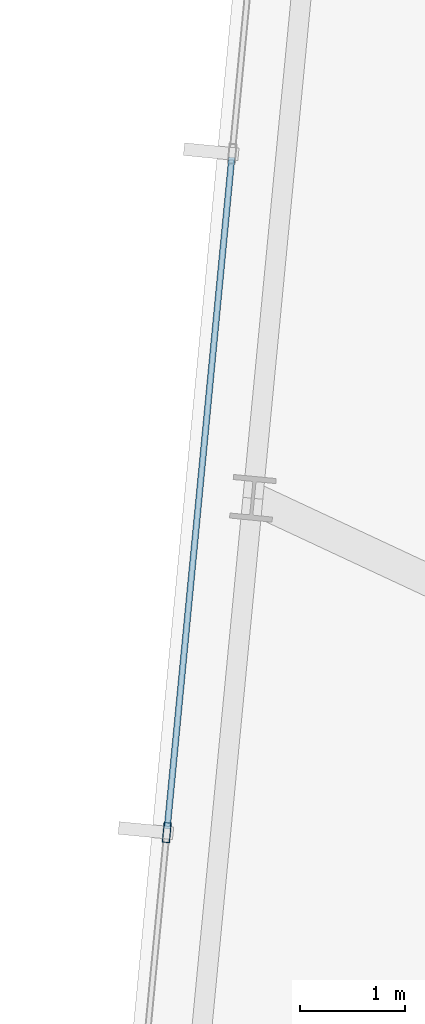
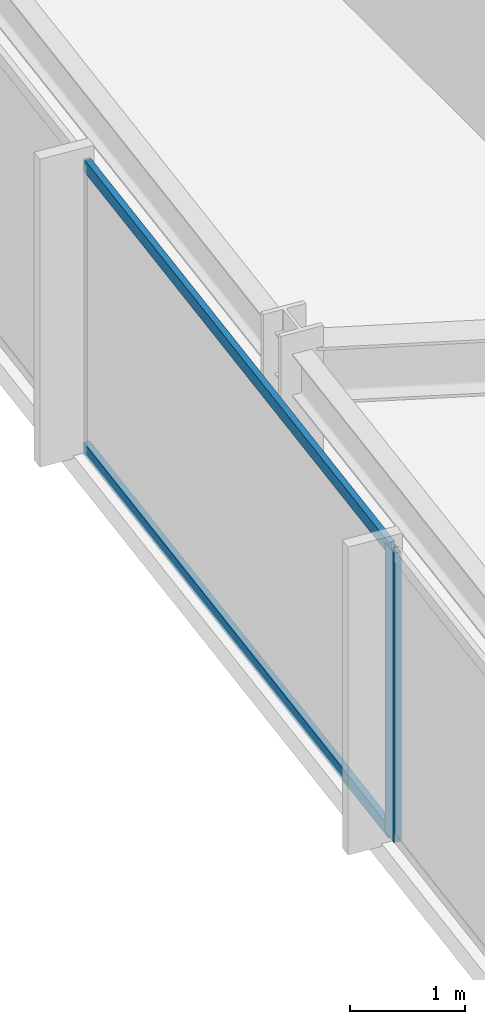
# One storey, part 8 of 37: 3 members, 1 element without a shape of its own.
"""IFC4 building model written with IfcOpenShell, lengths in metres."""

from ifc_helpers import new_model, si_unit, direction, frame, origin, origin_2d, place, context, subcontext, project, spatial, hollow_rectangle, extrude, material, material_profile, profile_set, type_object, element, aggregate, save


model = new_model("IFC4")

# Units and contexts
model_context = context("Model", 3, precision=1e-05, world=origin(), true_north=direction((0.0, 1.0)))
body_context = subcontext(model_context, "Body", "Model", "MODEL_VIEW")
ifc_project = project(units=[si_unit("LENGTHUNIT", "METRE"), si_unit("AREAUNIT", "SQUARE_METRE"), si_unit("VOLUMEUNIT", "CUBIC_METRE"), si_unit("PLANEANGLEUNIT", "RADIAN"), si_unit("MASSUNIT", "GRAM", prefix="KILO")], contexts=[model_context])

# Site, building, storey
site_placement = place(None, origin())
site = spatial("IfcSite", under=ifc_project, at=site_placement, CompositionType="ELEMENT")
building_placement = place(site_placement, origin())
building = spatial("IfcBuilding", under=site, at=building_placement, Name="Yelkora Congress Tower", CompositionType="ELEMENT")
storey_placement = place(building_placement, frame((0.0, 0.0, 165.5)))
storey = spatial("IfcBuildingStorey", under=building, at=storey_placement, Name="L45", CompositionType="ELEMENT", Elevation=165.5)

# Curtain wall, members
ifc_material_1 = material(Name="Anodised aluminium and insulated glass", Category="aluminium")
curtain_wall_type = type_object("IfcCurtainWallType", Name="CW-SYS-B3", PredefinedType="NOTDEFINED", material=ifc_material_1)
curtain_wall_placement = place(storey_placement, origin())
curtain_wall = element("IfcCurtainWall", 1, at=curtain_wall_placement, inside=storey, type_object=curtain_wall_type, Name="L45 Unitised Curtain Wall 5", PredefinedType="NOTDEFINED")
ifc_material_2 = material(Name="Anodised aluminium 6063-T6", Category="aluminium")
ifc_material_profile_1 = material_profile(ifc_material_2, hollow_rectangle(XDim=0.070068359375, YDim=0.18994140625, WallThickness=0.00390625, at=origin_2d()), Name="ALU 70x190x4")
ifc_profile_set_1 = profile_set([ifc_material_profile_1], Name="Anodised aluminium 6063-T6")
member_type_1 = type_object("IfcMemberType", Name="MEM-ML-B3", PredefinedType="MULLION", material=ifc_profile_set_1)
member_1_placement = place(storey_placement, frame((2.546142578125, 29.416259765625, 0.0), z_axis=(0.0, 0.0, 1.0), x_axis=(-0.995396242473, 0.095845294465, 0.0)))
member_1 = element("IfcMember", 2, at=member_1_placement, type_object=member_type_1, Name="CW-B3 mullion 3", PredefinedType="MULLION", context=body_context, shape_type="SweptSolid", body=[
    extrude(hollow_rectangle(XDim=0.070068359375, YDim=0.18994140625, WallThickness=0.00390625, at=origin_2d()), origin(), (0.0, 0.0, 1.0), 3.080078125),
])
ifc_material_profile_2 = material_profile(ifc_material_2, hollow_rectangle(XDim=0.06005859375, YDim=0.1298828125, WallThickness=0.00390625, at=origin_2d()), Name="ALU 60x130x4")
ifc_profile_set_2 = profile_set([ifc_material_profile_2], Name="Anodised aluminium 6063-T6")
member_type_2 = type_object("IfcMemberType", Name="MEM-TR-B3", PredefinedType="USERDEFINED", material=ifc_profile_set_2)
member_2_placement = place(storey_placement, frame((2.549560546875, 29.450927734375, 0.030029296875), z_axis=(0.095843682057, 0.995396397728, 0.0), x_axis=(-0.995396397728, 0.095843682057, 0.0)))
member_2 = element("IfcMember", 3, at=member_2_placement, type_object=member_type_2, Name="CW-B3 transom 3.1", ObjectType="TRANSOM", PredefinedType="USERDEFINED", context=body_context, shape_type="SweptSolid", body=[
    extrude(hollow_rectangle(XDim=0.06005859375, YDim=0.1298828125, WallThickness=0.00390625, at=origin_2d()), origin(), (0.0, 0.0, 1.0), 6.4140625),
])
member_3_placement = place(storey_placement, frame((2.549560546875, 29.450927734375, 3.050048828125), z_axis=(0.095843682057, 0.995396397728, 0.0), x_axis=(-0.995396397728, 0.095843682057, 0.0)))
member_3 = element("IfcMember", 4, at=member_3_placement, type_object=member_type_2, Name="CW-B3 transom 3.2", ObjectType="TRANSOM", PredefinedType="USERDEFINED", context=body_context, shape_type="SweptSolid", body=[
    extrude(hollow_rectangle(XDim=0.06005859375, YDim=0.1298828125, WallThickness=0.00390625, at=origin_2d()), origin(), (0.0, 0.0, 1.0), 6.4140625),
])
aggregate(curtain_wall, [member_1, member_2, member_3])

save(model, "model.ifc")
